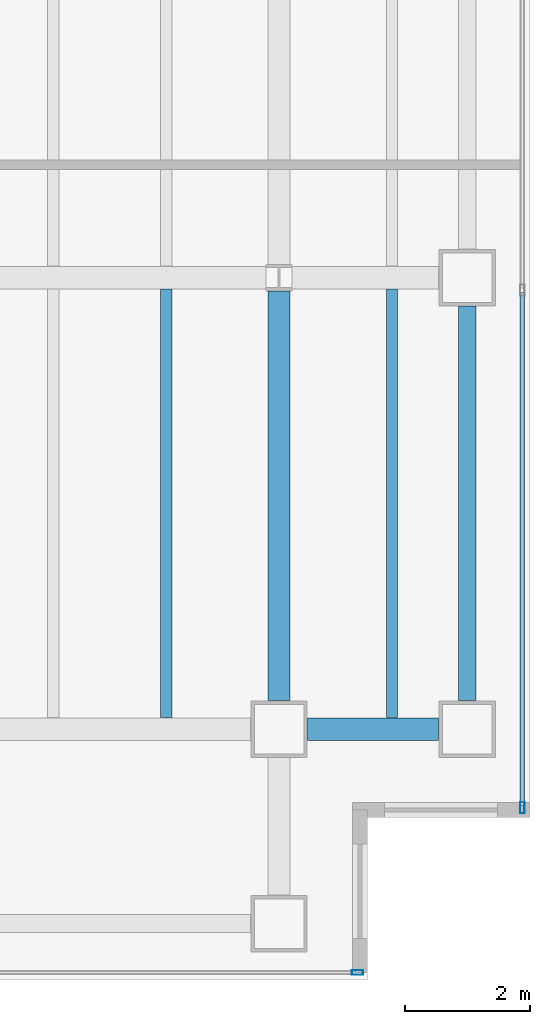
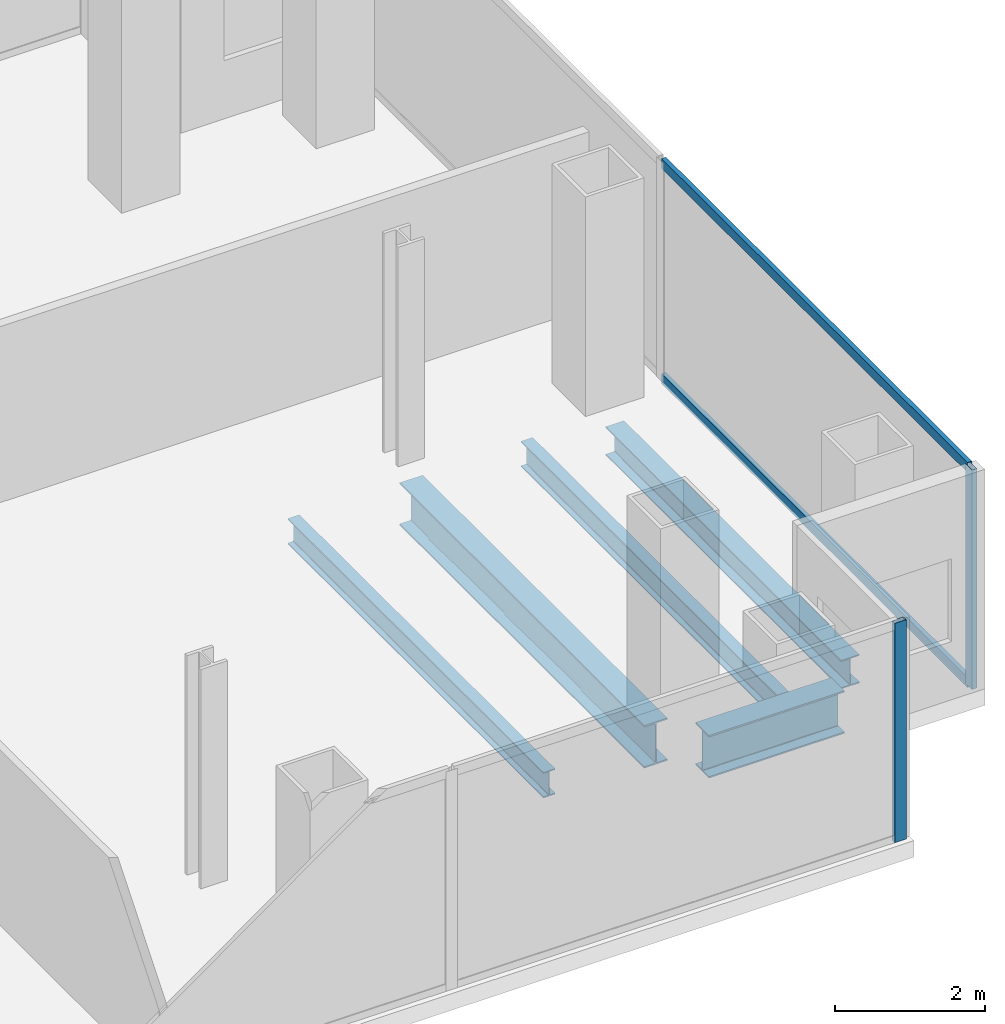
# One storey, part 11 of 23: 5 beams, 4 members, 2 elements without a shape of their own.
"""IFC4 building model written with IfcOpenShell, lengths in metres."""

from ifc_helpers import new_model, si_unit, direction, frame, origin, origin_2d, place, context, subcontext, project, spatial, hollow_rectangle, i_section, extrude, material, material_profile, profile_set, type_object, element, aggregate, save


model = new_model("IFC4")

# Units and contexts
model_context = context("Model", 3, precision=1e-05, world=origin(), true_north=direction((0.0, 1.0)))
body_context = subcontext(model_context, "Body", "Model", "MODEL_VIEW")
ifc_project = project(units=[si_unit("LENGTHUNIT", "METRE"), si_unit("AREAUNIT", "SQUARE_METRE"), si_unit("VOLUMEUNIT", "CUBIC_METRE"), si_unit("PLANEANGLEUNIT", "RADIAN"), si_unit("MASSUNIT", "GRAM", prefix="KILO")], contexts=[model_context])

# Site, building, storey
site_placement = place(None, origin())
site = spatial("IfcSite", under=ifc_project, at=site_placement, CompositionType="ELEMENT")
building_placement = place(site_placement, origin())
building = spatial("IfcBuilding", under=site, at=building_placement, Name="Cobrela Telecom Tower", CompositionType="ELEMENT")
storey_placement = place(building_placement, frame((0.0, 0.0, 144.550048828125)))
storey = spatial("IfcBuildingStorey", under=building, at=storey_placement, Name="L36", CompositionType="ELEMENT", Elevation=144.550048828125)

# Beams
ifc_material_1 = material(Name="Steel ASTM A992 Grade 50", Category="steel")
ifc_material_profile_1 = material_profile(ifc_material_1, i_section(OverallWidth=0.35595703125, OverallDepth=0.696044921875, WebThickness=0.015380859375, FlangeThickness=0.024658203125, FilletRadius=0.01806640625, at=origin_2d()), Name="W27X146")
ifc_profile_set_1 = profile_set([ifc_material_profile_1], Name="Steel ASTM A992 Grade 50")
beam_type_1 = type_object("IfcBeamType", Name="BM-GIRD-05", PredefinedType="USERDEFINED", material=ifc_profile_set_1)
beam_1_placement = place(storey_placement, frame((43.655029296875, 7.199951171875, -0.6181640625), z_axis=(1.0, 0.0, 0.0), x_axis=(0.0, 1.0, 0.0)))
element("IfcBeam", 1, at=beam_1_placement, inside=storey, type_object=beam_type_1, Name="L36 Primary Girder X12", ObjectType="GIRDER", PredefinedType="USERDEFINED", context=body_context, shape_type="SweptSolid", body=[
    extrude(i_section(OverallWidth=0.35595703125, OverallDepth=0.696044921875, WebThickness=0.015380859375, FlangeThickness=0.024658203125, FilletRadius=0.01806640625, at=origin_2d()), origin(), (0.0, 0.0, 1.0), 2.090087890625),
])
beam_2_placement = place(storey_placement, frame((43.199951171875, 7.655029296875, -0.6181640625), z_axis=(0.0, 1.0, 0.0), x_axis=(-1.0, 0.0, 0.0)))
element("IfcBeam", 2, at=beam_2_placement, inside=storey, type_object=beam_type_1, Name="L36 Primary Girder Y53", ObjectType="GIRDER", PredefinedType="USERDEFINED", context=body_context, shape_type="SweptSolid", body=[
    extrude(i_section(OverallWidth=0.35595703125, OverallDepth=0.696044921875, WebThickness=0.015380859375, FlangeThickness=0.024658203125, FilletRadius=0.01806640625, at=origin_2d()), origin(), (0.0, 0.0, 1.0), 6.535400390625),
])
ifc_material_profile_2 = material_profile(ifc_material_1, i_section(OverallWidth=0.179931640625, OverallDepth=0.4169921875, WebThickness=0.010986328125, FlangeThickness=0.01806640625, FilletRadius=0.011962890625, at=origin_2d()), Name="W16X57")
ifc_profile_set_2 = profile_set([ifc_material_profile_2], Name="Steel ASTM A992 Grade 50")
beam_type_2 = type_object("IfcBeamType", Name="BM-JOIST-04", PredefinedType="JOIST", material=ifc_profile_set_2)
for number, where, z_axis, x_axis, name in (
    (3, (41.39990234375, 7.383056640625, -0.478515625), (0.0, 1.0, 0.0), (-1.0, 0.0, 0.0), "L36 Secondary Composite Floor Beam J37"),
    (4, (45.0, 7.383056640625, -0.478515625), (0.0, 1.0, 0.0), (-1.0, 0.0, 0.0), "L36 Secondary Composite Floor Beam J39"),
):
    element("IfcBeam", number, at=place(storey_placement, frame(where, z_axis=z_axis, x_axis=x_axis)), inside=storey, type_object=beam_type_2, Name=name, PredefinedType="JOIST", context=body_context, shape_type="SweptSolid", body=[
        extrude(i_section(OverallWidth=0.179931640625, OverallDepth=0.4169921875, WebThickness=0.010986328125, FlangeThickness=0.01806640625, FilletRadius=0.011962890625, at=origin_2d()), origin(), (0.0, 0.0, 1.0), 6.833984375),
    ])
ifc_material_profile_3 = material_profile(ifc_material_1, i_section(OverallWidth=0.281982421875, OverallDepth=0.467041015625, WebThickness=0.01220703125, FlangeThickness=0.01953125, FilletRadius=0.012939453125, at=origin_2d()), Name="W18X86")
ifc_profile_set_3 = profile_set([ifc_material_profile_3], Name="Steel ASTM A992 Grade 50")
beam_type_3 = type_object("IfcBeamType", Name="BM-SPAND-04", PredefinedType="SPANDREL", material=ifc_profile_set_3)
beam_3_placement = place(storey_placement, frame((46.199951171875, 7.655029296875, -0.503662109375), z_axis=(0.0, 1.0, 0.0), x_axis=(-1.0, 0.0, 0.0)))
element("IfcBeam", 5, at=beam_3_placement, inside=storey, type_object=beam_type_3, Name="L36 Perimeter Spandrel Y55", PredefinedType="SPANDREL", context=body_context, shape_type="SweptSolid", body=[
    extrude(i_section(OverallWidth=0.281982421875, OverallDepth=0.467041015625, WebThickness=0.01220703125, FlangeThickness=0.01953125, FilletRadius=0.012939453125, at=origin_2d()), origin(), (0.0, 0.0, 1.0), 6.2900390625),
])

# Curtain wall, member
ifc_material_2 = material(Name="Anodized Bronze Aluminium 6063-T6", Category="aluminium")
curtain_wall_type = type_object("IfcCurtainWallType", Name="CW-SYS-TEL", PredefinedType="USERDEFINED", material=ifc_material_2)
curtain_wall_1_placement = place(storey_placement, origin())
curtain_wall_1 = element("IfcCurtainWall", 6, at=curtain_wall_1_placement, inside=storey, type_object=curtain_wall_type, Name="L36 Unitised Bronze Curtain Wall 14", ObjectType="UNITISED CURTAIN WALL", PredefinedType="USERDEFINED")
ifc_material_profile_4 = material_profile(ifc_material_2, hollow_rectangle(XDim=0.074951171875, YDim=0.179931640625, WallThickness=0.00390625, at=origin_2d()), Name="ALU 75x180x4")
ifc_profile_set_4 = profile_set([ifc_material_profile_4], Name="Anodized Bronze Aluminium 6063-T6")
member_type_1 = type_object("IfcMemberType", Name="CW-SYS-TEL-MUL", PredefinedType="MULLION", material=ifc_profile_set_4)
member_1_placement = place(storey_placement, frame((47.080078125, 5.947509765625, 0.0), z_axis=(0.0, 0.0, 1.0), x_axis=(1.0, 0.0, 0.0)))
member_1 = element("IfcMember", 7, at=member_1_placement, type_object=member_type_1, Name="CW-TEL mullion 3", PredefinedType="MULLION", context=body_context, shape_type="SweptSolid", body=[
    extrude(hollow_rectangle(XDim=0.074951171875, YDim=0.179931640625, WallThickness=0.00390625, at=origin_2d()), origin(), (0.0, 0.0, 1.0), 3.579833984375),
])

curtain_wall_2_placement = place(storey_placement, origin())
curtain_wall_2 = element("IfcCurtainWall", 8, at=curtain_wall_2_placement, inside=storey, type_object=curtain_wall_type, Name="L36 Unitised Bronze Curtain Wall 17", ObjectType="UNITISED CURTAIN WALL", PredefinedType="USERDEFINED")
member_2_placement = place(storey_placement, frame((44.452392578125, 3.320068359375, 0.0), z_axis=(0.0, 0.0, 1.0), x_axis=(0.0, -1.0, 0.0)))
member_2 = element("IfcMember", 9, at=member_2_placement, type_object=member_type_1, Name="CW-TEL mullion 1", PredefinedType="MULLION", context=body_context, shape_type="SweptSolid", body=[
    extrude(hollow_rectangle(XDim=0.074951171875, YDim=0.179931640625, WallThickness=0.00390625, at=origin_2d()), origin(), (0.0, 0.0, 1.0), 3.579833984375),
])
aggregate(curtain_wall_2, [member_2])

# Member
ifc_material_profile_5 = material_profile(ifc_material_2, hollow_rectangle(XDim=0.070068359375, YDim=0.159912109375, WallThickness=0.00390625, at=origin_2d()), Name="ALU 70x160x4")
ifc_profile_set_5 = profile_set([ifc_material_profile_5], Name="Anodized Bronze Aluminium 6063-T6")
member_type_2 = type_object("IfcMemberType", Name="CW-SYS-TEL-TRN", PredefinedType="USERDEFINED", material=ifc_profile_set_5)
member_3_placement = place(storey_placement, frame((47.080078125, 14.16259765625, 0.034912109375), z_axis=(0.0, -1.0, 0.0), x_axis=(1.0, 0.0, 0.0)))
member_3 = element("IfcMember", 10, at=member_3_placement, type_object=member_type_2, Name="CW-TEL transom 2.1", ObjectType="TRANSOM", PredefinedType="USERDEFINED", context=body_context, shape_type="SweptSolid", body=[
    extrude(hollow_rectangle(XDim=0.070068359375, YDim=0.159912109375, WallThickness=0.00390625, at=origin_2d()), origin(), (0.0, 0.0, 1.0), 8.177490234375),
])

member_4_placement = place(storey_placement, frame((47.080078125, 14.16259765625, 3.544921875), z_axis=(0.0, -1.0, 0.0), x_axis=(1.0, 0.0, 0.0)))
member_4 = element("IfcMember", 11, at=member_4_placement, type_object=member_type_2, Name="CW-TEL transom 2.2", ObjectType="TRANSOM", PredefinedType="USERDEFINED", context=body_context, shape_type="SweptSolid", body=[
    extrude(hollow_rectangle(XDim=0.070068359375, YDim=0.159912109375, WallThickness=0.00390625, at=origin_2d()), origin(), (0.0, 0.0, 1.0), 8.177490234375),
])

aggregate(curtain_wall_1, [member_1, member_3, member_4])

save(model, "model.ifc")
